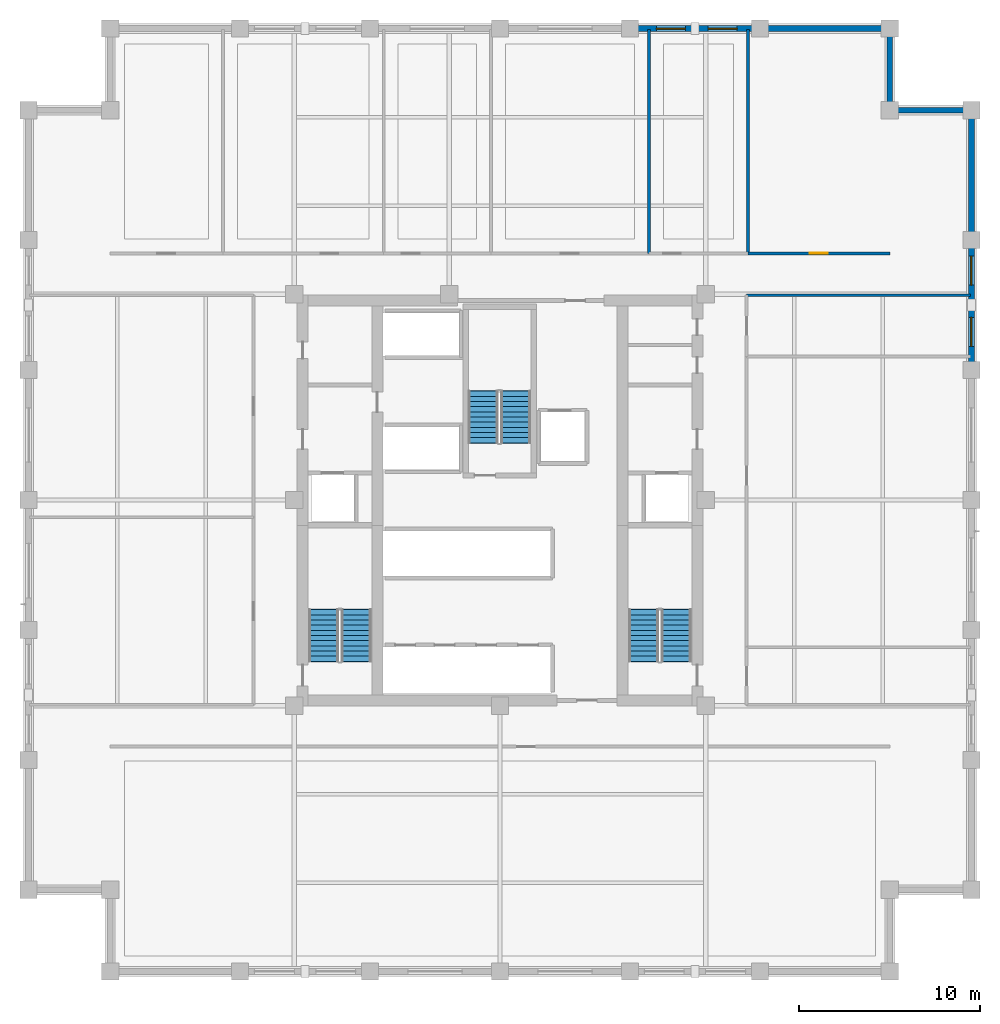
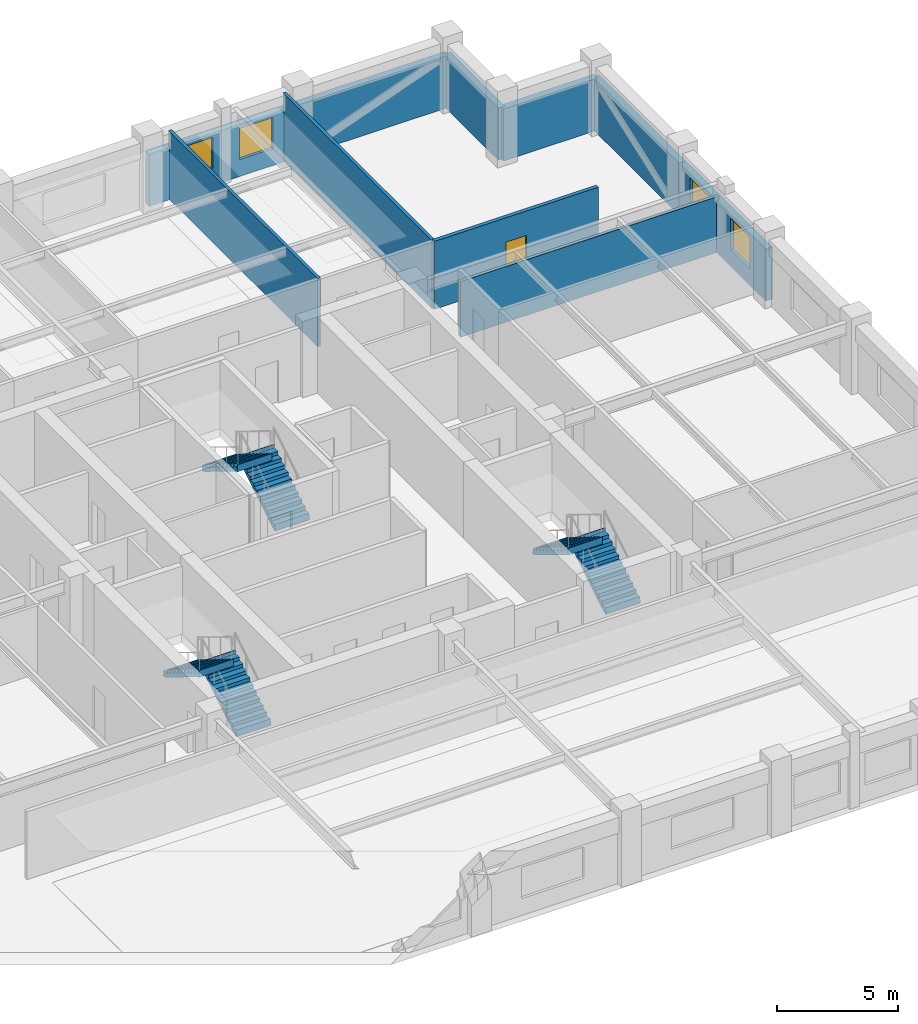
# One storey, part 8 of 12: 10 walls, 6 stair flights, 4 windows, 1 door, 5 openings, 3 elements without a shape of their own.
"""IFC4 building model written with IfcOpenShell, lengths in metres."""

from ifc_helpers import new_model, si_unit, direction, frame, frame_2d, origin, place, context, subcontext, project, spatial, polyline, rectangle, outline, extrude, material, layer, layer_set, type_object, element, fill, aggregate, save


model = new_model("IFC4")

# Units and contexts
model_context = context("Model", 3, precision=1e-05, world=origin(), true_north=direction((0.0, 1.0)))
body_context = subcontext(model_context, "Body", "Model", "MODEL_VIEW")
ifc_project = project(units=[si_unit("LENGTHUNIT", "METRE"), si_unit("AREAUNIT", "SQUARE_METRE"), si_unit("VOLUMEUNIT", "CUBIC_METRE"), si_unit("PLANEANGLEUNIT", "RADIAN"), si_unit("MASSUNIT", "GRAM", prefix="KILO")], contexts=[model_context])

# Site, building, storey
site_placement = place(None, origin())
site = spatial("IfcSite", under=ifc_project, at=site_placement, CompositionType="ELEMENT")
building_placement = place(site_placement, origin())
building = spatial("IfcBuilding", under=site, at=building_placement, Name="Nhamokura Convention Tower", CompositionType="ELEMENT")
storey_placement = place(building_placement, frame((0.0, 0.0, 110.60009765625)))
storey = spatial("IfcBuildingStorey", under=building, at=storey_placement, Name="L26", CompositionType="ELEMENT", Elevation=110.60009765625)

# Wall, openings, windows
ifc_material_1 = material(Name="Bronze-pigmented precast concrete C45/55", Category="concrete")
ifc_layer_1 = layer(ifc_material_1, 0.320068359375)
ifc_layer_set_1 = layer_set([ifc_layer_1], Name="BronzePrecastSpandrel_320")
wall_type_1 = type_object("IfcWallType", Name="BronzePrecastSpandrel_320", PredefinedType="USERDEFINED", material=ifc_layer_set_1)
wall_1_placement = place(storey_placement, frame((39.166748046875, 58.0, 0.0), z_axis=(0.0, 0.0, 1.0), x_axis=(1.0, 0.0, 0.0)))
wall_1 = element("IfcWall", 1, at=wall_1_placement, inside=storey, type_object=wall_type_1, Name="L26 Masonry-Frame Wall NORTH 4", ObjectType="SPANDREL_WALL", PredefinedType="USERDEFINED", context=body_context, shape_type="SweptSolid", body=[
    extrude(rectangle(XDim=7.16650390625, YDim=0.320068359375, at=frame_2d((3.583251953125, 0.0))), origin(), (0.0, 0.0, 1.0), 2.6298828125),
])
opening_1_placement = place(wall_1_placement, frame((1.4541015625, 0.0, 0.85009765625)))
opening_1 = element("IfcOpeningElement", 2, at=opening_1_placement, cuts=wall_1, Name="Opening W-11", PredefinedType="OPENING", context=body_context, shape_type="SweptSolid", body=[
    extrude(rectangle(XDim=1.60009765625, YDim=1.580078125, at=frame_2d((0.800048828125, 0.7900390625))), frame((0.0, 0.169921875, 0.0), z_axis=(0.0, -1.0, 0.0), x_axis=(1.0, 0.0, 0.0)), (0.0, 0.0, 1.0), 0.340087890625),
])
opening_2_placement = place(wall_1_placement, frame((4.3125, 0.0, 0.85009765625)))
opening_2 = element("IfcOpeningElement", 3, at=opening_2_placement, cuts=wall_1, Name="Opening W-11", PredefinedType="OPENING", context=body_context, shape_type="SweptSolid", body=[
    extrude(rectangle(XDim=1.60009765625, YDim=1.580078125, at=frame_2d((0.800048828125, 0.7900390625))), frame((0.0, 0.169921875, 0.0), z_axis=(0.0, -1.0, 0.0), x_axis=(1.0, 0.0, 0.0)), (0.0, 0.0, 1.0), 0.340087890625),
])
ifc_material_2 = material(Name="Solar-control bronze low-E double glass", Category="glass")
window_type = type_object("IfcWindowType", Name="NotchCornerWindow_1600", PartitioningType="SINGLE_PANEL", PredefinedType="WINDOW", material=ifc_material_2)
window_1_placement = place(opening_1_placement, origin())
window_1 = element("IfcWindow", 4, at=window_1_placement, inside=storey, type_object=window_type, Name="L26 Facade Window NORTH 4-2", OverallHeight=1.580078125, OverallWidth=1.60009765625, PartitioningType="SINGLE_PANEL", PredefinedType="WINDOW", context=body_context, shape_type="SweptSolid", body=[
    extrude(rectangle(XDim=1.60009765625, YDim=1.580078125, at=frame_2d((0.800048828125, 0.7900390625))), frame((0.0, 0.030029296875, 0.0), z_axis=(0.0, -1.0, 0.0), x_axis=(1.0, 0.0, 0.0)), (0.0, 0.0, 1.0), 0.06005859375),
])
fill(opening_1, window_1)
window_2_placement = place(opening_2_placement, origin())
window_2 = element("IfcWindow", 5, at=window_2_placement, inside=storey, type_object=window_type, Name="L26 Facade Window NORTH 4-3", OverallHeight=1.580078125, OverallWidth=1.60009765625, PartitioningType="SINGLE_PANEL", PredefinedType="WINDOW", context=body_context, shape_type="SweptSolid", body=[
    extrude(rectangle(XDim=1.60009765625, YDim=1.580078125, at=frame_2d((0.800048828125, 0.7900390625))), frame((0.0, 0.030029296875, 0.0), z_axis=(0.0, -1.0, 0.0), x_axis=(1.0, 0.0, 0.0)), (0.0, 0.0, 1.0), 0.06005859375),
])
fill(opening_2, window_2)

# Wall
wall_2_placement = place(storey_placement, frame((46.333251953125, 58.0, 0.0), z_axis=(0.0, 0.0, 1.0), x_axis=(1.0, 0.0, 0.0)))
element("IfcWall", 6, at=wall_2_placement, inside=storey, type_object=wall_type_1, Name="L26 Braced-Bay Precast Wall NORTH 5", ObjectType="SPANDREL_WALL", PredefinedType="USERDEFINED", context=body_context, shape_type="SweptSolid", body=[
    extrude(rectangle(XDim=7.166748046875, YDim=0.320068359375, at=frame_2d((3.58349609375, 0.0))), origin(), (0.0, 0.0, 1.0), 2.6298828125),
])

# Wall, openings, windows
wall_3_placement = place(storey_placement, frame((58.0, 46.333251953125, 0.0), z_axis=(0.0, 0.0, 1.0), x_axis=(0.0, -1.0, 0.0)))
wall_3 = element("IfcWall", 7, at=wall_3_placement, inside=storey, type_object=wall_type_1, Name="L26 Masonry-Frame Wall EAST 4", ObjectType="SPANDREL_WALL", PredefinedType="USERDEFINED", context=body_context, shape_type="SweptSolid", body=[
    extrude(rectangle(XDim=7.16650390625, YDim=0.320068359375, at=frame_2d((3.583251953125, 0.0))), origin(), (0.0, 0.0, 1.0), 2.6298828125),
])
opening_3_placement = place(wall_3_placement, frame((0.879150390625, 0.0, 0.85009765625)))
opening_3 = element("IfcOpeningElement", 8, at=opening_3_placement, cuts=wall_3, Name="Opening W-11", PredefinedType="OPENING", context=body_context, shape_type="SweptSolid", body=[
    extrude(rectangle(XDim=1.60009765625, YDim=1.580078125, at=frame_2d((0.800048828125, 0.7900390625))), frame((0.0, 0.169921875, 0.0), z_axis=(0.0, -1.0, 0.0), x_axis=(1.0, 0.0, 0.0)), (0.0, 0.0, 1.0), 0.340087890625),
])
opening_4_placement = place(wall_3_placement, frame((4.262451171875, 0.0, 0.85009765625)))
opening_4 = element("IfcOpeningElement", 9, at=opening_4_placement, cuts=wall_3, Name="Opening W-11", PredefinedType="OPENING", context=body_context, shape_type="SweptSolid", body=[
    extrude(rectangle(XDim=1.60009765625, YDim=1.580078125, at=frame_2d((0.800048828125, 0.7900390625))), frame((0.0, 0.169921875, 0.0), z_axis=(0.0, -1.0, 0.0), x_axis=(1.0, 0.0, 0.0)), (0.0, 0.0, 1.0), 0.340087890625),
])
window_3_placement = place(opening_3_placement, origin())
window_3 = element("IfcWindow", 10, at=window_3_placement, inside=storey, type_object=window_type, Name="L26 Facade Window EAST 4-1", OverallHeight=1.580078125, OverallWidth=1.60009765625, PartitioningType="SINGLE_PANEL", PredefinedType="WINDOW", context=body_context, shape_type="SweptSolid", body=[
    extrude(rectangle(XDim=1.60009765625, YDim=1.580078125, at=frame_2d((0.800048828125, 0.7900390625))), frame((0.0, 0.030029296875, 0.0), z_axis=(0.0, -1.0, 0.0), x_axis=(1.0, 0.0, 0.0)), (0.0, 0.0, 1.0), 0.06005859375),
])
fill(opening_3, window_3)
window_4_placement = place(opening_4_placement, origin())
window_4 = element("IfcWindow", 11, at=window_4_placement, inside=storey, type_object=window_type, Name="L26 Facade Window EAST 4-2", OverallHeight=1.580078125, OverallWidth=1.60009765625, PartitioningType="SINGLE_PANEL", PredefinedType="WINDOW", context=body_context, shape_type="SweptSolid", body=[
    extrude(rectangle(XDim=1.60009765625, YDim=1.580078125, at=frame_2d((0.800048828125, 0.7900390625))), frame((0.0, 0.030029296875, 0.0), z_axis=(0.0, -1.0, 0.0), x_axis=(1.0, 0.0, 0.0)), (0.0, 0.0, 1.0), 0.06005859375),
])
fill(opening_4, window_4)

# Walls
wall_4_placement = place(storey_placement, frame((58.0, 53.5, 0.0), z_axis=(0.0, 0.0, 1.0), x_axis=(0.0, -1.0, 0.0)))
element("IfcWall", 12, at=wall_4_placement, inside=storey, type_object=wall_type_1, Name="L26 Braced-Bay Precast Wall EAST 5", ObjectType="SPANDREL_WALL", PredefinedType="USERDEFINED", context=body_context, shape_type="SweptSolid", body=[
    extrude(rectangle(XDim=7.166748046875, YDim=0.320068359375, at=frame_2d((3.58349609375, 0.0))), origin(), (0.0, 0.0, 1.0), 2.6298828125),
])
for number, where, z_axis, x_axis, name in (
    (13, (53.5, 53.5, 0.0), (0.0, 0.0, 1.0), (1.0, 0.0, 0.0), "L26 Notched Corner Wall NE1"),
    (14, (53.5, 58.0, 0.0), (0.0, 0.0, 1.0), (0.0, -1.0, 0.0), "L26 Notched Corner Wall NE2"),
):
    element("IfcWall", number, at=place(storey_placement, frame(where, z_axis=z_axis, x_axis=x_axis)), inside=storey, type_object=wall_type_1, Name=name, ObjectType="SPANDREL_WALL", PredefinedType="USERDEFINED", context=body_context, shape_type="SweptSolid", body=[
        extrude(rectangle(XDim=4.5, YDim=0.320068359375, at=frame_2d((2.25, 0.0))), origin(), (0.0, 0.0, 1.0), 2.6298828125),
    ])

# Wall, opening, door
ifc_material_3 = material(Name="Fire-rated gypsum and masonry partition", Category="masonry")
ifc_layer_2 = layer(ifc_material_3, 0.179931640625)
ifc_layer_set_2 = layer_set([ifc_layer_2], Name="CorridorRatedWall_180")
wall_type_2 = type_object("IfcWallType", Name="CorridorRatedWall_180", PredefinedType="STANDARD", material=ifc_layer_set_2)
wall_5_placement = place(storey_placement, frame((45.683349609375, 45.60009765625, 0.0), z_axis=(0.0, 0.0, 1.0), x_axis=(1.0, 0.0, 0.0)))
wall_5 = element("IfcWall", 15, at=wall_5_placement, inside=storey, type_object=wall_type_2, Name="L26 Wall INT-L26-CW-N05", PredefinedType="STANDARD", context=body_context, shape_type="SweptSolid", body=[
    extrude(rectangle(XDim=7.816650390625, YDim=0.179931640625, at=frame_2d((3.908203125, 0.0))), origin(), (0.0, 0.0, 1.0), 3.429931640625),
])
opening_5_placement = place(wall_5_placement, frame((3.408203125, 0.0, 0.0)))
opening_5 = element("IfcOpeningElement", 16, at=opening_5_placement, cuts=wall_5, Name="Opening D-08", PredefinedType="OPENING", context=body_context, shape_type="SweptSolid", body=[
    extrude(rectangle(XDim=0.97998046875, YDim=2.199951171875, at=frame_2d((0.489990234375, 1.10009765625))), frame((0.0, 0.099853515625, 0.0), z_axis=(0.0, -1.0, 0.0), x_axis=(1.0, 0.0, 0.0)), (0.0, 0.0, 1.0), 0.199951171875),
])
ifc_material_4 = material(Name="Solid oak hardwood", Category="wood")
door_type = type_object("IfcDoorType", Name="OfficeEntryDoor_980", OperationType="NOTDEFINED", PredefinedType="DOOR", material=ifc_material_4)
door_placement = place(opening_5_placement, origin())
door = element("IfcDoor", 17, at=door_placement, inside=storey, type_object=door_type, Name="L26 Meeting Room N06 Door", OperationType="SINGLE_SWING_RIGHT", OverallHeight=2.199951171875, OverallWidth=0.97998046875, PredefinedType="DOOR", context=body_context, shape_type="SweptSolid", body=[
    extrude(rectangle(XDim=0.97998046875, YDim=2.199951171875, at=frame_2d((0.489990234375, 1.10009765625))), frame((0.0, 0.02490234375, 0.0), z_axis=(0.0, -1.0, 0.0), x_axis=(1.0, 0.0, 0.0)), (0.0, 0.0, 1.0), 0.050048828125),
])
fill(opening_5, door)

# Walls
ifc_material_5 = material(Name="Acoustic gypsum stud partition", Category="masonry")
ifc_layer_3 = layer(ifc_material_5, 0.14990234375)
ifc_layer_set_3 = layer_set([ifc_layer_3], Name="InteriorPartition_150")
wall_type_3 = type_object("IfcWallType", Name="InteriorPartition_150", PredefinedType="STANDARD", material=ifc_layer_set_3)
for number, where, z_axis, x_axis, name in (
    (18, (40.216796875, 45.60009765625, 0.0), (0.0, 0.0, 1.0), (0.0, 1.0, 0.0), "L26 Wall INT-L26-RW-N04"),
    (19, (45.683349609375, 45.60009765625, 0.0), (0.0, 0.0, 1.0), (0.0, 1.0, 0.0), "L26 Wall INT-L26-RW-N05"),
):
    element("IfcWall", number, at=place(storey_placement, frame(where, z_axis=z_axis, x_axis=x_axis)), inside=storey, type_object=wall_type_3, Name=name, PredefinedType="STANDARD", context=body_context, shape_type="SweptSolid", body=[
        extrude(rectangle(XDim=12.33984375, YDim=0.14990234375, at=frame_2d((6.169921875, 0.0))), origin(), (0.0, 0.0, 1.0), 3.429931640625),
    ])
wall_6_placement = place(storey_placement, frame((45.60009765625, 43.300048828125, 0.0), z_axis=(0.0, 0.0, 1.0), x_axis=(1.0, 0.0, 0.0)))
element("IfcWall", 20, at=wall_6_placement, inside=storey, type_object=wall_type_3, Name="L26 Wall INT-L26-RWT-E", PredefinedType="STANDARD", context=body_context, shape_type="SweptSolid", body=[
    extrude(rectangle(XDim=12.33984375, YDim=0.14990234375, at=frame_2d((6.169921875, 0.0))), origin(), (0.0, 0.0, 1.0), 2.809814453125),
])

# Stair, stair flights
ifc_material_6 = material(Name="Concrete C40/50", Category="concrete")
stair_type = type_object("IfcStairType", Name="TowerCoreStair_1650", PredefinedType="HALF_TURN_STAIR", material=ifc_material_6)
stair_1_placement = place(storey_placement, origin())
stair_1 = element("IfcStair", 21, at=stair_1_placement, inside=storey, type_object=stair_type, Name="L26 West Core Smokeproof Stair ST-01", PredefinedType="HALF_TURN_STAIR")
ifc_material_7 = material(Name="Concrete C40/50", Category="concrete")
stair_flight_type = type_object("IfcStairFlightType", Name="TowerCoreStair_1650_Flight", PredefinedType="STRAIGHT", material=ifc_material_7)
stair_flight_1_placement = place(storey_placement, frame((24.074951171875, 23.10009765625, 0.0), z_axis=(0.0, 0.0, 1.0), x_axis=(0.0, 1.0, 0.0)))
stair_flight_1 = element("IfcStairFlight", 22, at=stair_flight_1_placement, type_object=stair_flight_type, Name="ST-01 flight 1", NumberOfRisers=11, NumberOfTreads=10, PredefinedType="STRAIGHT", RiserHeight=0.175, TreadLength=0.285, context=body_context, shape_type="SweptSolid", body=[
    extrude(outline(polyline([(-0.0419921875, 0.0), (0.0, 0.175048828125), (0.284912109375, 0.175048828125), (0.284912109375, 0.35009765625), (0.570068359375, 0.35009765625), (0.570068359375, 0.52490234375), (0.85498046875, 0.52490234375), (0.85498046875, 0.699951171875), (1.139892578125, 0.699951171875), (1.139892578125, 0.875), (1.425048828125, 0.875), (1.425048828125, 1.050048828125), (1.7099609375, 1.050048828125), (1.7099609375, 1.22509765625), (1.9951171875, 1.22509765625), (1.9951171875, 1.39990234375), (2.280029296875, 1.39990234375), (2.280029296875, 1.574951171875), (2.56494140625, 1.574951171875), (2.56494140625, 1.75), (2.85009765625, 1.75), (2.85009765625, 1.925048828125), (2.89208984375, 1.925048828125), (2.89208984375, 1.573974609375), (2.85009765625, 1.573974609375), (0.286376953125, 0.0), (0.02001953125, -0.1298828125), (-0.0419921875, -0.1298828125), (-0.0419921875, 0.0)])), frame((0.0, 0.824951171875, 0.0), z_axis=(0.0, -1.0, 0.0), x_axis=(1.0, 0.0, 0.0)), (0.0, 0.0, 1.0), 1.64990234375),
])
stair_flight_2_placement = place(storey_placement, frame((22.27490234375, 25.949951171875, 1.9248046875), z_axis=(0.0, 0.0, 1.0), x_axis=(0.0, -1.0, 0.0)))
stair_flight_2 = element("IfcStairFlight", 23, at=stair_flight_2_placement, type_object=stair_flight_type, Name="ST-01 flight 2", NumberOfRisers=11, NumberOfTreads=10, PredefinedType="STRAIGHT", RiserHeight=0.175, TreadLength=0.285, context=body_context, shape_type="SweptSolid", body=[
    extrude(outline(polyline([(-0.0419921875, 0.0), (0.0, 0.175048828125), (0.284912109375, 0.175048828125), (0.284912109375, 0.35009765625), (0.570068359375, 0.35009765625), (0.570068359375, 0.52490234375), (0.85498046875, 0.52490234375), (0.85498046875, 0.699951171875), (1.139892578125, 0.699951171875), (1.139892578125, 0.875), (1.425048828125, 0.875), (1.425048828125, 1.050048828125), (1.7099609375, 1.050048828125), (1.7099609375, 1.22509765625), (1.9951171875, 1.22509765625), (1.9951171875, 1.39990234375), (2.280029296875, 1.39990234375), (2.280029296875, 1.574951171875), (2.56494140625, 1.574951171875), (2.56494140625, 1.75), (2.85009765625, 1.75), (2.85009765625, 1.925048828125), (2.89208984375, 1.925048828125), (2.89208984375, 1.573974609375), (2.85009765625, 1.573974609375), (0.286376953125, 0.0), (0.02001953125, -0.1298828125), (-0.0419921875, -0.1298828125), (-0.0419921875, 0.0)])), frame((0.0, 0.824951171875, 0.0), z_axis=(0.0, -1.0, 0.0), x_axis=(1.0, 0.0, 0.0)), (0.0, 0.0, 1.0), 1.64990234375),
])
aggregate(stair_1, [stair_flight_1, stair_flight_2])

stair_2_placement = place(storey_placement, origin())
stair_2 = element("IfcStair", 24, at=stair_2_placement, inside=storey, type_object=stair_type, Name="L26 East Core Smokeproof Stair ST-02", PredefinedType="HALF_TURN_STAIR")
stair_flight_3_placement = place(storey_placement, frame((41.72509765625, 23.10009765625, 0.0), z_axis=(0.0, 0.0, 1.0), x_axis=(0.0, 1.0, 0.0)))
stair_flight_3 = element("IfcStairFlight", 25, at=stair_flight_3_placement, type_object=stair_flight_type, Name="ST-02 flight 1", NumberOfRisers=11, NumberOfTreads=10, PredefinedType="STRAIGHT", RiserHeight=0.175, TreadLength=0.285, context=body_context, shape_type="SweptSolid", body=[
    extrude(outline(polyline([(-0.0419921875, 0.0), (0.0, 0.175048828125), (0.284912109375, 0.175048828125), (0.284912109375, 0.35009765625), (0.570068359375, 0.35009765625), (0.570068359375, 0.52490234375), (0.85498046875, 0.52490234375), (0.85498046875, 0.699951171875), (1.139892578125, 0.699951171875), (1.139892578125, 0.875), (1.425048828125, 0.875), (1.425048828125, 1.050048828125), (1.7099609375, 1.050048828125), (1.7099609375, 1.22509765625), (1.9951171875, 1.22509765625), (1.9951171875, 1.39990234375), (2.280029296875, 1.39990234375), (2.280029296875, 1.574951171875), (2.56494140625, 1.574951171875), (2.56494140625, 1.75), (2.85009765625, 1.75), (2.85009765625, 1.925048828125), (2.89208984375, 1.925048828125), (2.89208984375, 1.573974609375), (2.85009765625, 1.573974609375), (0.286376953125, 0.0), (0.02001953125, -0.1298828125), (-0.0419921875, -0.1298828125), (-0.0419921875, 0.0)])), frame((0.0, 0.824951171875, 0.0), z_axis=(0.0, -1.0, 0.0), x_axis=(1.0, 0.0, 0.0)), (0.0, 0.0, 1.0), 1.64990234375),
])
stair_flight_4_placement = place(storey_placement, frame((39.925048828125, 25.949951171875, 1.9248046875), z_axis=(0.0, 0.0, 1.0), x_axis=(0.0, -1.0, 0.0)))
stair_flight_4 = element("IfcStairFlight", 26, at=stair_flight_4_placement, type_object=stair_flight_type, Name="ST-02 flight 2", NumberOfRisers=11, NumberOfTreads=10, PredefinedType="STRAIGHT", RiserHeight=0.175, TreadLength=0.285, context=body_context, shape_type="SweptSolid", body=[
    extrude(outline(polyline([(-0.0419921875, 0.0), (0.0, 0.175048828125), (0.284912109375, 0.175048828125), (0.284912109375, 0.35009765625), (0.570068359375, 0.35009765625), (0.570068359375, 0.52490234375), (0.85498046875, 0.52490234375), (0.85498046875, 0.699951171875), (1.139892578125, 0.699951171875), (1.139892578125, 0.875), (1.425048828125, 0.875), (1.425048828125, 1.050048828125), (1.7099609375, 1.050048828125), (1.7099609375, 1.22509765625), (1.9951171875, 1.22509765625), (1.9951171875, 1.39990234375), (2.280029296875, 1.39990234375), (2.280029296875, 1.574951171875), (2.56494140625, 1.574951171875), (2.56494140625, 1.75), (2.85009765625, 1.75), (2.85009765625, 1.925048828125), (2.89208984375, 1.925048828125), (2.89208984375, 1.573974609375), (2.85009765625, 1.573974609375), (0.286376953125, 0.0), (0.02001953125, -0.1298828125), (-0.0419921875, -0.1298828125), (-0.0419921875, 0.0)])), frame((0.0, 0.824951171875, 0.0), z_axis=(0.0, -1.0, 0.0), x_axis=(1.0, 0.0, 0.0)), (0.0, 0.0, 1.0), 1.64990234375),
])
aggregate(stair_2, [stair_flight_3, stair_flight_4])

stair_3_placement = place(storey_placement, origin())
stair_3 = element("IfcStair", 27, at=stair_3_placement, inside=storey, type_object=stair_type, Name="L26 North Core Smokeproof Stair ST-03", PredefinedType="HALF_TURN_STAIR")
stair_flight_5_placement = place(storey_placement, frame((32.875, 35.14990234375, 0.0), z_axis=(0.0, 0.0, 1.0), x_axis=(0.0, 1.0, 0.0)))
stair_flight_5 = element("IfcStairFlight", 28, at=stair_flight_5_placement, type_object=stair_flight_type, Name="ST-03 flight 1", NumberOfRisers=11, NumberOfTreads=10, PredefinedType="STRAIGHT", RiserHeight=0.175, TreadLength=0.285, context=body_context, shape_type="SweptSolid", body=[
    extrude(outline(polyline([(-0.0419921875, 0.0), (0.0, 0.175048828125), (0.284912109375, 0.175048828125), (0.284912109375, 0.35009765625), (0.570068359375, 0.35009765625), (0.570068359375, 0.52490234375), (0.85498046875, 0.52490234375), (0.85498046875, 0.699951171875), (1.139892578125, 0.699951171875), (1.139892578125, 0.875), (1.425048828125, 0.875), (1.425048828125, 1.050048828125), (1.7099609375, 1.050048828125), (1.7099609375, 1.22509765625), (1.9951171875, 1.22509765625), (1.9951171875, 1.39990234375), (2.280029296875, 1.39990234375), (2.280029296875, 1.574951171875), (2.56494140625, 1.574951171875), (2.56494140625, 1.75), (2.85009765625, 1.75), (2.85009765625, 1.925048828125), (2.89208984375, 1.925048828125), (2.89208984375, 1.573974609375), (2.85009765625, 1.573974609375), (0.286376953125, 0.0), (0.02001953125, -0.1298828125), (-0.0419921875, -0.1298828125), (-0.0419921875, 0.0)])), frame((0.0, 0.824951171875, 0.0), z_axis=(0.0, -1.0, 0.0), x_axis=(1.0, 0.0, 0.0)), (0.0, 0.0, 1.0), 1.64990234375),
])
stair_flight_6_placement = place(storey_placement, frame((31.074951171875, 38.0, 1.9248046875), z_axis=(0.0, 0.0, 1.0), x_axis=(0.0, -1.0, 0.0)))
stair_flight_6 = element("IfcStairFlight", 29, at=stair_flight_6_placement, type_object=stair_flight_type, Name="ST-03 flight 2", NumberOfRisers=11, NumberOfTreads=10, PredefinedType="STRAIGHT", RiserHeight=0.175, TreadLength=0.285, context=body_context, shape_type="SweptSolid", body=[
    extrude(outline(polyline([(-0.0419921875, 0.0), (0.0, 0.175048828125), (0.284912109375, 0.175048828125), (0.284912109375, 0.35009765625), (0.570068359375, 0.35009765625), (0.570068359375, 0.52490234375), (0.85498046875, 0.52490234375), (0.85498046875, 0.699951171875), (1.139892578125, 0.699951171875), (1.139892578125, 0.875), (1.425048828125, 0.875), (1.425048828125, 1.050048828125), (1.7099609375, 1.050048828125), (1.7099609375, 1.22509765625), (1.9951171875, 1.22509765625), (1.9951171875, 1.39990234375), (2.280029296875, 1.39990234375), (2.280029296875, 1.574951171875), (2.56494140625, 1.574951171875), (2.56494140625, 1.75), (2.85009765625, 1.75), (2.85009765625, 1.925048828125), (2.89208984375, 1.925048828125), (2.89208984375, 1.573974609375), (2.85009765625, 1.573974609375), (0.286376953125, 0.0), (0.02001953125, -0.1298828125), (-0.0419921875, -0.1298828125), (-0.0419921875, 0.0)])), frame((0.0, 0.824951171875, 0.0), z_axis=(0.0, -1.0, 0.0), x_axis=(1.0, 0.0, 0.0)), (0.0, 0.0, 1.0), 1.64990234375),
])
aggregate(stair_3, [stair_flight_5, stair_flight_6])

save(model, "model.ifc")
